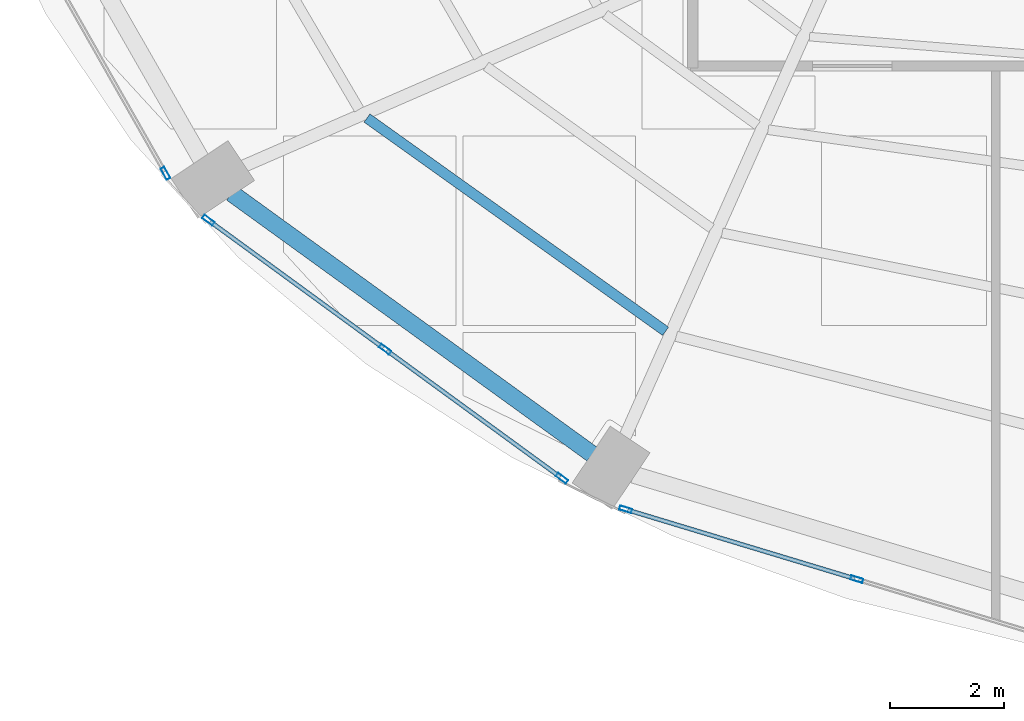
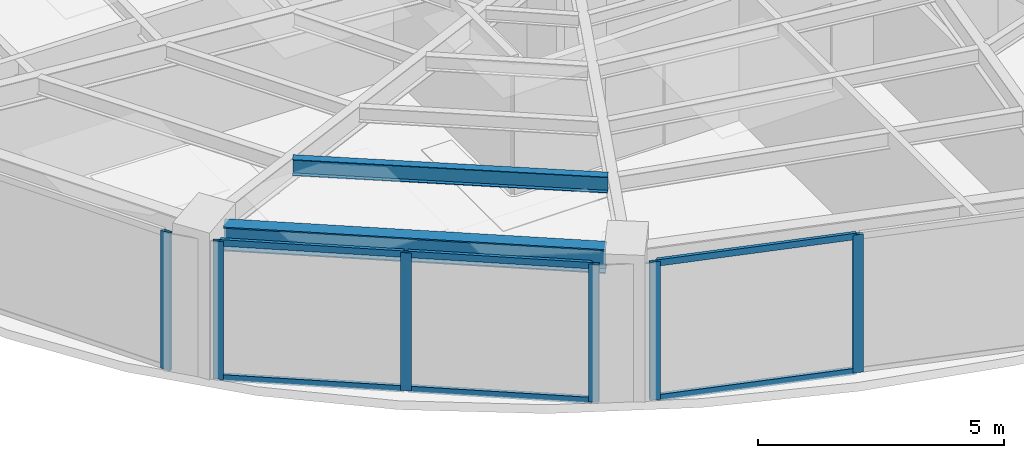
# One storey, part 2 of 24: 12 members, 2 beams, 3 elements without a shape of their own.
"""IFC4 building model written with IfcOpenShell, lengths in metres."""

from ifc_helpers import new_model, si_unit, direction, frame, origin, origin_2d, place, context, subcontext, project, spatial, hollow_rectangle, i_section, extrude, material, layer, layer_set, material_profile, profile_set, type_object, element, aggregate, save


model = new_model("IFC4")

# Units and contexts
model_context = context("Model", 3, precision=1e-05, world=origin(), true_north=direction((0.0, 1.0)))
body_context = subcontext(model_context, "Body", "Model", "MODEL_VIEW")
ifc_project = project(units=[si_unit("LENGTHUNIT", "METRE"), si_unit("AREAUNIT", "SQUARE_METRE"), si_unit("VOLUMEUNIT", "CUBIC_METRE"), si_unit("PLANEANGLEUNIT", "RADIAN"), si_unit("MASSUNIT", "GRAM", prefix="KILO")], contexts=[model_context])

# Site, building, storey
site_placement = place(None, origin())
site = spatial("IfcSite", under=ifc_project, at=site_placement, CompositionType="ELEMENT")
building_placement = place(site_placement, origin())
building = spatial("IfcBuilding", under=site, at=building_placement, Name="Lazwardi Medical Tower", CompositionType="ELEMENT")
storey_placement = place(building_placement, frame((0.0, 0.0, 110.927978515625)))
storey = spatial("IfcBuildingStorey", under=building, at=storey_placement, Name="L28", CompositionType="ELEMENT", Elevation=110.927978515625)

# Beams
ifc_material_1 = material(Name="Steel S355", Category="steel")
ifc_material_profile_1 = material_profile(ifc_material_1, i_section(OverallWidth=0.300048828125, OverallDepth=0.60009765625, WebThickness=0.015380859375, FlangeThickness=0.030029296875, at=origin_2d()), Name="HEB 600")
ifc_profile_set_1 = profile_set([ifc_material_profile_1], Name="Steel S355")
beam_type_1 = type_object("IfcBeamType", Name="BM-RB-Z2", PredefinedType="BEAM", material=ifc_profile_set_1)
beam_1_placement = place(storey_placement, frame((15.25439453125, 15.164794921875, 3.1279296875), z_axis=(0.81005674773, -0.586351486275, 0.0), x_axis=(0.586351486275, 0.81005674773, 0.0)))
element("IfcBeam", 1, at=beam_1_placement, inside=storey, type_object=beam_type_1, Name="Ring beam RB-03 B14 L28", PredefinedType="BEAM", context=body_context, shape_type="SweptSolid", body=[
    extrude(i_section(OverallWidth=0.300048828125, OverallDepth=0.60009765625, WebThickness=0.015380859375, FlangeThickness=0.030029296875, at=origin_2d()), origin(), (0.0, 0.0, 1.0), 7.81396484375),
])
ifc_material_profile_2 = material_profile(ifc_material_1, i_section(OverallWidth=0.179931640625, OverallDepth=0.39990234375, WebThickness=0.008544921875, FlangeThickness=0.013427734375, at=origin_2d()), Name="IPE 400")
ifc_profile_set_2 = profile_set([ifc_material_profile_2], Name="Steel S355")
beam_type_2 = type_object("IfcBeamType", Name="BM-SJ-01", PredefinedType="JOIST", material=ifc_profile_set_2)
beam_2_placement = place(storey_placement, frame((17.630615234375, 16.485595703125, 3.22802734375), z_axis=(0.813748834317, -0.581216684763, 0.0), x_axis=(0.581216684763, 0.813748834317, 0.0)))
element("IfcBeam", 2, at=beam_2_placement, inside=storey, type_object=beam_type_2, Name="Secondary joist SJ-01 R1 B14 L28", PredefinedType="JOIST", context=body_context, shape_type="SweptSolid", body=[
    extrude(i_section(OverallWidth=0.179931640625, OverallDepth=0.39990234375, WebThickness=0.008544921875, FlangeThickness=0.013427734375, at=origin_2d()), origin(), (0.0, 0.0, 1.0), 6.4423828125),
])

# Curtain wall, member
ifc_material_2 = material(Name="Anodised bronze aluminium and solar control glazing", Category="aluminium")
ifc_layer = layer(ifc_material_2, 0.195068359375)
ifc_layer_set = layer_set([ifc_layer], Name="Anodised bronze aluminium and solar control glazing")
curtain_wall_type = type_object("IfcCurtainWallType", Name="CW-SYS-03", PredefinedType="NOTDEFINED", material=ifc_layer_set)
curtain_wall_1_placement = place(storey_placement, origin())
curtain_wall_1 = element("IfcCurtainWall", 3, at=curtain_wall_1_placement, inside=storey, type_object=curtain_wall_type, Name="L28 Unitised bronze curtain wall CW-03", PredefinedType="NOTDEFINED")
ifc_material_3 = material(Name="Anodised bronze aluminium", Category="aluminium")
ifc_material_profile_3 = material_profile(ifc_material_3, hollow_rectangle(XDim=0.074951171875, YDim=0.219970703125, WallThickness=0.00390625, at=origin_2d()), Name="ALU-MULLION 220x75x4")
ifc_profile_set_3 = profile_set([ifc_material_profile_3], Name="Anodised bronze aluminium")
member_type_1 = type_object("IfcMemberType", Name="CW-MUL-01", PredefinedType="MULLION", material=ifc_profile_set_3)
member_1_placement = place(storey_placement, frame((14.0927734375, 15.51416015625, 0.0), z_axis=(0.0, 0.0, 1.0), x_axis=(0.869687265712, 0.493603140041, 0.0)))
member_1 = element("IfcMember", 4, at=member_1_placement, type_object=member_type_1, Name="CW-03 mullion 2", PredefinedType="MULLION", context=body_context, shape_type="SweptSolid", body=[
    extrude(hollow_rectangle(XDim=0.074951171875, YDim=0.219970703125, WallThickness=0.00390625, at=origin_2d()), origin(), (0.0, 0.0, 1.0), 3.427978515625),
])
aggregate(curtain_wall_1, [member_1])

# Curtain wall, members
curtain_wall_2_placement = place(storey_placement, origin())
curtain_wall_2 = element("IfcCurtainWall", 5, at=curtain_wall_2_placement, inside=storey, type_object=curtain_wall_type, Name="L28 Unitised bronze curtain wall CW-03", PredefinedType="NOTDEFINED")
member_2_placement = place(storey_placement, frame((14.844970703125, 14.691162109375, 0.0), z_axis=(0.0, 0.0, 1.0), x_axis=(0.589530882802, 0.807745837639, 0.0)))
member_2 = element("IfcMember", 6, at=member_2_placement, type_object=member_type_1, Name="CW-03 mullion 1", PredefinedType="MULLION", context=body_context, shape_type="SweptSolid", body=[
    extrude(hollow_rectangle(XDim=0.074951171875, YDim=0.219970703125, WallThickness=0.00390625, at=origin_2d()), origin(), (0.0, 0.0, 1.0), 3.427978515625),
])
member_3_placement = place(storey_placement, frame((17.948974609375, 12.42578125, 0.0), z_axis=(0.0, 0.0, 1.0), x_axis=(0.589530882802, 0.807745837639, 0.0)))
member_3 = element("IfcMember", 7, at=member_3_placement, type_object=member_type_1, Name="CW-03 mullion 2", PredefinedType="MULLION", context=body_context, shape_type="SweptSolid", body=[
    extrude(hollow_rectangle(XDim=0.074951171875, YDim=0.219970703125, WallThickness=0.00390625, at=origin_2d()), origin(), (0.0, 0.0, 1.0), 3.427978515625),
])
member_4_placement = place(storey_placement, frame((21.052734375, 10.160400390625, 0.0), z_axis=(0.0, 0.0, 1.0), x_axis=(0.589530882802, 0.807745837639, 0.0)))
member_4 = element("IfcMember", 8, at=member_4_placement, type_object=member_type_1, Name="CW-03 mullion 3", PredefinedType="MULLION", context=body_context, shape_type="SweptSolid", body=[
    extrude(hollow_rectangle(XDim=0.074951171875, YDim=0.219970703125, WallThickness=0.00390625, at=origin_2d()), origin(), (0.0, 0.0, 1.0), 3.427978515625),
])

curtain_wall_3_placement = place(storey_placement, origin())
curtain_wall_3 = element("IfcCurtainWall", 9, at=curtain_wall_3_placement, inside=storey, type_object=curtain_wall_type, Name="L28 Unitised bronze curtain wall CW-03", PredefinedType="NOTDEFINED")
member_5_placement = place(storey_placement, frame((22.171630859375, 9.614013671875, 0.0), z_axis=(0.0, 0.0, 1.0), x_axis=(0.28937381157, 0.957216170558, 0.0)))
member_5 = element("IfcMember", 10, at=member_5_placement, type_object=member_type_1, Name="CW-03 mullion 1", PredefinedType="MULLION", context=body_context, shape_type="SweptSolid", body=[
    extrude(hollow_rectangle(XDim=0.074951171875, YDim=0.219970703125, WallThickness=0.00390625, at=origin_2d()), origin(), (0.0, 0.0, 1.0), 3.427978515625),
])
member_6_placement = place(storey_placement, frame((26.230712890625, 8.386962890625, 0.0), z_axis=(0.0, 0.0, 1.0), x_axis=(0.28937381157, 0.957216170558, 0.0)))
member_6 = element("IfcMember", 11, at=member_6_placement, type_object=member_type_1, Name="CW-03 mullion 2", PredefinedType="MULLION", context=body_context, shape_type="SweptSolid", body=[
    extrude(hollow_rectangle(XDim=0.074951171875, YDim=0.219970703125, WallThickness=0.00390625, at=origin_2d()), origin(), (0.0, 0.0, 1.0), 3.427978515625),
])

# Member
ifc_material_profile_4 = material_profile(ifc_material_3, hollow_rectangle(XDim=0.074951171875, YDim=0.159912109375, WallThickness=0.00390625, at=origin_2d()), Name="ALU-TRANSOM 160x75x4")
ifc_profile_set_4 = profile_set([ifc_material_profile_4], Name="Anodised bronze aluminium")
member_type_2 = type_object("IfcMemberType", Name="CW-TRN-01", PredefinedType="USERDEFINED", material=ifc_profile_set_4)
member_7_placement = place(storey_placement, frame((14.87548828125, 14.6689453125, 0.03759765625), z_axis=(0.807731734271, -0.589550206049, 0.0), x_axis=(0.589550206049, 0.807731734271, 0.0)))
member_7 = element("IfcMember", 12, at=member_7_placement, type_object=member_type_2, Name="CW-03 transom 1.1", ObjectType="TRANSOM", PredefinedType="USERDEFINED", context=body_context, shape_type="SweptSolid", body=[
    extrude(hollow_rectangle(XDim=0.074951171875, YDim=0.159912109375, WallThickness=0.00390625, at=origin_2d()), origin(), (0.0, 0.0, 1.0), 3.767578125),
])

member_8_placement = place(storey_placement, frame((14.87548828125, 14.6689453125, 3.390625), z_axis=(0.807731734271, -0.589550206049, 0.0), x_axis=(0.589550206049, 0.807731734271, 0.0)))
member_8 = element("IfcMember", 13, at=member_8_placement, type_object=member_type_2, Name="CW-03 transom 1.2", ObjectType="TRANSOM", PredefinedType="USERDEFINED", context=body_context, shape_type="SweptSolid", body=[
    extrude(hollow_rectangle(XDim=0.074951171875, YDim=0.159912109375, WallThickness=0.00390625, at=origin_2d()), origin(), (0.0, 0.0, 1.0), 3.767578125),
])

member_9_placement = place(storey_placement, frame((17.979248046875, 12.403564453125, 0.03759765625), z_axis=(0.80776259199, -0.58950792614, 0.0), x_axis=(0.58950792614, 0.80776259199, 0.0)))
member_9 = element("IfcMember", 14, at=member_9_placement, type_object=member_type_2, Name="CW-03 transom 2.1", ObjectType="TRANSOM", PredefinedType="USERDEFINED", context=body_context, shape_type="SweptSolid", body=[
    extrude(hollow_rectangle(XDim=0.074951171875, YDim=0.159912109375, WallThickness=0.00390625, at=origin_2d()), origin(), (0.0, 0.0, 1.0), 3.767578125),
])

member_10_placement = place(storey_placement, frame((17.979248046875, 12.403564453125, 3.390625), z_axis=(0.80776259199, -0.58950792614, 0.0), x_axis=(0.58950792614, 0.80776259199, 0.0)))
member_10 = element("IfcMember", 15, at=member_10_placement, type_object=member_type_2, Name="CW-03 transom 2.2", ObjectType="TRANSOM", PredefinedType="USERDEFINED", context=body_context, shape_type="SweptSolid", body=[
    extrude(hollow_rectangle(XDim=0.074951171875, YDim=0.159912109375, WallThickness=0.00390625, at=origin_2d()), origin(), (0.0, 0.0, 1.0), 3.767578125),
])

aggregate(curtain_wall_2, [member_2, member_3, member_4, member_7, member_8, member_9, member_10])

member_11_placement = place(storey_placement, frame((22.20751953125, 9.603271484375, 0.03759765625), z_axis=(0.957204630929, -0.289411980623, 0.0), x_axis=(0.289411980623, 0.957204630929, 0.0)))
member_11 = element("IfcMember", 16, at=member_11_placement, type_object=member_type_2, Name="CW-03 transom 1.1", ObjectType="TRANSOM", PredefinedType="USERDEFINED", context=body_context, shape_type="SweptSolid", body=[
    extrude(hollow_rectangle(XDim=0.074951171875, YDim=0.159912109375, WallThickness=0.00390625, at=origin_2d()), origin(), (0.0, 0.0, 1.0), 4.16552734375),
])

member_12_placement = place(storey_placement, frame((22.20751953125, 9.603271484375, 3.390625), z_axis=(0.957204630929, -0.289411980623, 0.0), x_axis=(0.289411980623, 0.957204630929, 0.0)))
member_12 = element("IfcMember", 17, at=member_12_placement, type_object=member_type_2, Name="CW-03 transom 1.2", ObjectType="TRANSOM", PredefinedType="USERDEFINED", context=body_context, shape_type="SweptSolid", body=[
    extrude(hollow_rectangle(XDim=0.074951171875, YDim=0.159912109375, WallThickness=0.00390625, at=origin_2d()), origin(), (0.0, 0.0, 1.0), 4.16552734375),
])

aggregate(curtain_wall_3, [member_5, member_6, member_11, member_12])

save(model, "model.ifc")
